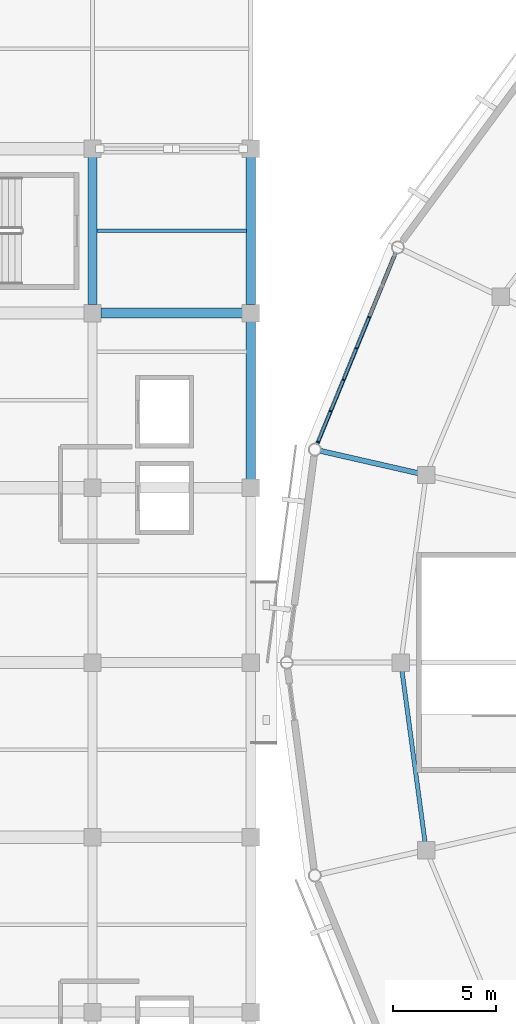
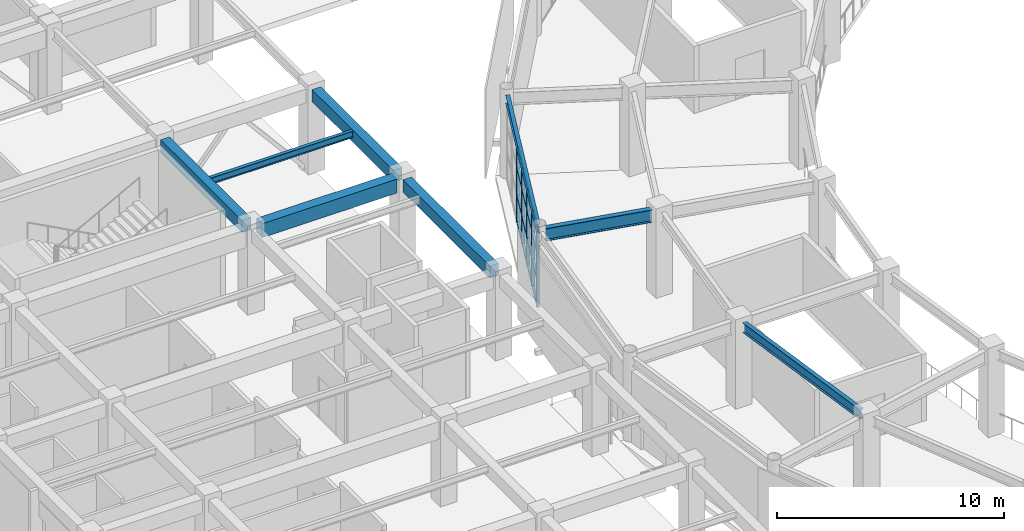
# One storey, part 37 of 112: 21 members, 8 beams, 1 element without a shape of its own.
"""IFC4 building model written with IfcOpenShell, lengths in metres."""

from ifc_helpers import new_model, si_unit, direction, frame, origin, origin_2d, place, context, subcontext, project, spatial, rectangle, i_section, extrude, material, material_profile, profile_set, type_object, element, aggregate, save


model = new_model("IFC4")

# Units and contexts
model_context = context("Model", 3, precision=1e-05, world=origin(), true_north=direction((0.0, 1.0)))
body_context = subcontext(model_context, "Body", "Model", "MODEL_VIEW")
ifc_project = project(units=[si_unit("LENGTHUNIT", "METRE"), si_unit("AREAUNIT", "SQUARE_METRE"), si_unit("VOLUMEUNIT", "CUBIC_METRE"), si_unit("PLANEANGLEUNIT", "RADIAN"), si_unit("MASSUNIT", "GRAM", prefix="KILO")], contexts=[model_context])

# Site, building, storey
site_placement = place(None, origin())
site = spatial("IfcSite", under=ifc_project, at=site_placement, CompositionType="ELEMENT")
building_placement = place(site_placement, origin())
building = spatial("IfcBuilding", under=site, at=building_placement, Name="Cuetzalor Civic Arena", CompositionType="ELEMENT")
storey_placement = place(building_placement, frame((0.0, 0.0, 11.39990234375)))
storey = spatial("IfcBuildingStorey", under=building, at=storey_placement, Name="L02", CompositionType="ELEMENT", Elevation=11.39990234375)

# Beams
ifc_material_1 = material(Name="Concrete C40/50", Category="concrete")
ifc_material_profile_1 = material_profile(ifc_material_1, rectangle(XDim=0.5, YDim=0.75, at=origin_2d()), Name="RC 500x750")
ifc_profile_set_1 = profile_set([ifc_material_profile_1], Name="Concrete C40/50")
beam_type_1 = type_object("IfcBeamType", Name="ConcreteFrameBeam_500x750", PredefinedType="BEAM", material=ifc_profile_set_1)
beam_1_placement = place(storey_placement, frame((-63.5849609375, 17.0, 4.14501953125), z_axis=(1.0, 0.0, 0.0), x_axis=(0.0, 1.0, 0.0)))
element("IfcBeam", 1, at=beam_1_placement, inside=storey, type_object=beam_type_1, Name="Frame Girder V4W-L02-X0651", PredefinedType="BEAM", context=body_context, shape_type="SweptSolid", body=[
    extrude(rectangle(XDim=0.5, YDim=0.75, at=origin_2d()), origin(), (0.0, 0.0, 1.0), 6.869873046875),
])
ifc_material_2 = material(Name="Concrete C40/50", Category="concrete")
ifc_material_profile_2 = material_profile(ifc_material_2, rectangle(XDim=0.449951171875, YDim=0.64990234375, at=origin_2d()), Name="RC 450x650")
ifc_profile_set_2 = profile_set([ifc_material_profile_2], Name="Concrete C40/50")
beam_type_2 = type_object("IfcBeamType", Name="ConcreteTieBeam_450x650", PredefinedType="BEAM", material=ifc_profile_set_2)
beam_2_placement = place(storey_placement, frame((-64.0, 17.4150390625, 4.195068359375), z_axis=(0.0, 1.0, 0.0), x_axis=(-1.0, 0.0, 0.0)))
element("IfcBeam", 2, at=beam_2_placement, inside=storey, type_object=beam_type_2, Name="Frame Girder V4W-L02-Y0686", PredefinedType="BEAM", context=body_context, shape_type="SweptSolid", body=[
    extrude(rectangle(XDim=0.449951171875, YDim=0.64990234375, at=origin_2d()), origin(), (0.0, 0.0, 1.0), 7.169921875),
])
beam_3_placement = place(storey_placement, frame((-56.300048828125, 8.9150390625, 4.195068359375), z_axis=(0.0, 1.0, 0.0), x_axis=(-1.0, 0.0, 0.0)))
element("IfcBeam", 3, at=beam_3_placement, inside=storey, type_object=beam_type_2, Name="Frame Girder V4W-L02-Y0695", PredefinedType="BEAM", context=body_context, shape_type="SweptSolid", body=[
    extrude(rectangle(XDim=0.449951171875, YDim=0.64990234375, at=origin_2d()), origin(), (0.0, 0.0, 1.0), 7.669921875),
])
beam_4_placement = place(storey_placement, frame((-56.300048828125, 17.4150390625, 4.195068359375), z_axis=(0.0, 1.0, 0.0), x_axis=(-1.0, 0.0, 0.0)))
element("IfcBeam", 4, at=beam_4_placement, inside=storey, type_object=beam_type_2, Name="Frame Girder V4W-L02-Y0696", PredefinedType="BEAM", context=body_context, shape_type="SweptSolid", body=[
    extrude(rectangle(XDim=0.449951171875, YDim=0.64990234375, at=origin_2d()), origin(), (0.0, 0.0, 1.0), 7.169921875),
])

# Curtain wall, members
ifc_material_3 = material(Name="Anodised dark bronze aluminium and low-E solar glass", Category="aluminium")
curtain_wall_type = type_object("IfcCurtainWallType", Name="UnitisedCW_9850x4050", PredefinedType="USERDEFINED", material=ifc_material_3)
curtain_wall_placement = place(storey_placement, origin())
curtain_wall = element("IfcCurtainWall", 5, at=curtain_wall_placement, inside=storey, type_object=curtain_wall_type, Name="Drum Triangle Foyer Curtain Wall L02-038", ObjectType="UNITISED CURTAIN WALL", PredefinedType="USERDEFINED")
ifc_material_4 = material(Name="Anodised dark bronze aluminium", Category="aluminium")
ifc_material_profile_3 = material_profile(ifc_material_4, rectangle(XDim=0.06494140625, YDim=0.14990234375, at=origin_2d()), Name="ALU MULLION 65x150")
ifc_profile_set_3 = profile_set([ifc_material_profile_3], Name="Anodised dark bronze aluminium")
member_type_1 = type_object("IfcMemberType", Name="CurtainWallMullion_60x150", PredefinedType="MULLION", material=ifc_profile_set_3)
member_1_placement = place(storey_placement, frame((-53.02587890625, 10.739990234375, 0.0), z_axis=(0.0, 0.0, 1.0), x_axis=(0.379391428583, 0.925236263836, 0.0)))
member_1 = element("IfcMember", 6, at=member_1_placement, type_object=member_type_1, Name="CW-17 mullion 1", PredefinedType="MULLION", context=body_context, shape_type="SweptSolid", body=[
    extrude(rectangle(XDim=0.06494140625, YDim=0.14990234375, at=origin_2d()), origin(), (0.0, 0.0, 1.0), 4.052978515625),
])
member_2_placement = place(storey_placement, frame((-52.413818359375, 12.232421875, 0.0), z_axis=(0.0, 0.0, 1.0), x_axis=(0.379391428583, 0.925236263836, 0.0)))
member_2 = element("IfcMember", 7, at=member_2_placement, type_object=member_type_1, Name="CW-17 mullion 2", PredefinedType="MULLION", context=body_context, shape_type="SweptSolid", body=[
    extrude(rectangle(XDim=0.06494140625, YDim=0.14990234375, at=origin_2d()), origin(), (0.0, 0.0, 1.0), 4.052978515625),
])
member_3_placement = place(storey_placement, frame((-51.78955078125, 13.755126953125, 0.0), z_axis=(0.0, 0.0, 1.0), x_axis=(0.379391428583, 0.925236263836, 0.0)))
member_3 = element("IfcMember", 8, at=member_3_placement, type_object=member_type_1, Name="CW-17 mullion 3", PredefinedType="MULLION", context=body_context, shape_type="SweptSolid", body=[
    extrude(rectangle(XDim=0.06494140625, YDim=0.14990234375, at=origin_2d()), origin(), (0.0, 0.0, 1.0), 4.052978515625),
])
member_4_placement = place(storey_placement, frame((-51.1650390625, 15.27783203125, 0.0), z_axis=(0.0, 0.0, 1.0), x_axis=(0.379391428583, 0.925236263836, 0.0)))
member_4 = element("IfcMember", 9, at=member_4_placement, type_object=member_type_1, Name="CW-17 mullion 4", PredefinedType="MULLION", context=body_context, shape_type="SweptSolid", body=[
    extrude(rectangle(XDim=0.06494140625, YDim=0.14990234375, at=origin_2d()), origin(), (0.0, 0.0, 1.0), 4.052978515625),
])
member_5_placement = place(storey_placement, frame((-50.540771484375, 16.800537109375, 0.0), z_axis=(0.0, 0.0, 1.0), x_axis=(0.379391428583, 0.925236263836, 0.0)))
member_5 = element("IfcMember", 10, at=member_5_placement, type_object=member_type_1, Name="CW-17 mullion 5", PredefinedType="MULLION", context=body_context, shape_type="SweptSolid", body=[
    extrude(rectangle(XDim=0.06494140625, YDim=0.14990234375, at=origin_2d()), origin(), (0.0, 0.0, 1.0), 4.052978515625),
])
ifc_material_5 = material(Name="Anodised dark bronze aluminium", Category="aluminium")
ifc_material_profile_4 = material_profile(ifc_material_5, rectangle(XDim=0.1201171875, YDim=0.06494140625, at=origin_2d()), Name="ALU TRANSOM 65x120")
ifc_profile_set_4 = profile_set([ifc_material_profile_4], Name="Anodised dark bronze aluminium")
member_type_2 = type_object("IfcMemberType", Name="CurtainWallTransom_60x120", PredefinedType="USERDEFINED", material=ifc_profile_set_4)
member_6_placement = place(storey_placement, frame((-53.013427734375, 10.77001953125, 0.03271484375), z_axis=(0.37928982406, 0.925277920067, 0.0), x_axis=(-0.925277920067, 0.37928982406, 0.0)))
member_6 = element("IfcMember", 11, at=member_6_placement, type_object=member_type_2, Name="CW-17 transom 1.1", ObjectType="TRANSOM", PredefinedType="USERDEFINED", context=body_context, shape_type="SweptSolid", body=[
    extrude(rectangle(XDim=0.1201171875, YDim=0.06494140625, at=origin_2d()), origin(), (0.0, 0.0, 1.0), 1.548095703125),
])
member_7_placement = place(storey_placement, frame((-53.013427734375, 10.77001953125, 1.458984375), z_axis=(0.37928982406, 0.925277920067, 0.0), x_axis=(-0.925277920067, 0.37928982406, 0.0)))
member_7 = element("IfcMember", 12, at=member_7_placement, type_object=member_type_2, Name="CW-17 transom 1.2", ObjectType="TRANSOM", PredefinedType="USERDEFINED", context=body_context, shape_type="SweptSolid", body=[
    extrude(rectangle(XDim=0.1201171875, YDim=0.06494140625, at=origin_2d()), origin(), (0.0, 0.0, 1.0), 1.548095703125),
])
member_8_placement = place(storey_placement, frame((-53.013427734375, 10.77001953125, 2.918212890625), z_axis=(0.37928982406, 0.925277920067, 0.0), x_axis=(-0.925277920067, 0.37928982406, 0.0)))
member_8 = element("IfcMember", 13, at=member_8_placement, type_object=member_type_2, Name="CW-17 transom 1.3", ObjectType="TRANSOM", PredefinedType="USERDEFINED", context=body_context, shape_type="SweptSolid", body=[
    extrude(rectangle(XDim=0.1201171875, YDim=0.06494140625, at=origin_2d()), origin(), (0.0, 0.0, 1.0), 1.548095703125),
])
member_9_placement = place(storey_placement, frame((-53.013427734375, 10.77001953125, 4.0205078125), z_axis=(0.37928982406, 0.925277920067, 0.0), x_axis=(-0.925277920067, 0.37928982406, 0.0)))
member_9 = element("IfcMember", 14, at=member_9_placement, type_object=member_type_2, Name="CW-17 transom 1.4", ObjectType="TRANSOM", PredefinedType="USERDEFINED", context=body_context, shape_type="SweptSolid", body=[
    extrude(rectangle(XDim=0.1201171875, YDim=0.06494140625, at=origin_2d()), origin(), (0.0, 0.0, 1.0), 1.548095703125),
])
member_10_placement = place(storey_placement, frame((-52.401611328125, 12.262451171875, 0.03271484375), z_axis=(0.379444503936, 0.925214498607, 0.0), x_axis=(-0.925214498607, 0.379444503936, 0.0)))
member_10 = element("IfcMember", 15, at=member_10_placement, type_object=member_type_2, Name="CW-17 transom 2.1", ObjectType="TRANSOM", PredefinedType="USERDEFINED", context=body_context, shape_type="SweptSolid", body=[
    extrude(rectangle(XDim=0.1201171875, YDim=0.06494140625, at=origin_2d()), origin(), (0.0, 0.0, 1.0), 1.580810546875),
])
member_11_placement = place(storey_placement, frame((-52.401611328125, 12.262451171875, 1.458984375), z_axis=(0.379444503936, 0.925214498607, 0.0), x_axis=(-0.925214498607, 0.379444503936, 0.0)))
member_11 = element("IfcMember", 16, at=member_11_placement, type_object=member_type_2, Name="CW-17 transom 2.2", ObjectType="TRANSOM", PredefinedType="USERDEFINED", context=body_context, shape_type="SweptSolid", body=[
    extrude(rectangle(XDim=0.1201171875, YDim=0.06494140625, at=origin_2d()), origin(), (0.0, 0.0, 1.0), 1.580810546875),
])
member_12_placement = place(storey_placement, frame((-52.401611328125, 12.262451171875, 2.918212890625), z_axis=(0.379444503936, 0.925214498607, 0.0), x_axis=(-0.925214498607, 0.379444503936, 0.0)))
member_12 = element("IfcMember", 17, at=member_12_placement, type_object=member_type_2, Name="CW-17 transom 2.3", ObjectType="TRANSOM", PredefinedType="USERDEFINED", context=body_context, shape_type="SweptSolid", body=[
    extrude(rectangle(XDim=0.1201171875, YDim=0.06494140625, at=origin_2d()), origin(), (0.0, 0.0, 1.0), 1.580810546875),
])
member_13_placement = place(storey_placement, frame((-52.401611328125, 12.262451171875, 4.0205078125), z_axis=(0.379444503936, 0.925214498607, 0.0), x_axis=(-0.925214498607, 0.379444503936, 0.0)))
member_13 = element("IfcMember", 18, at=member_13_placement, type_object=member_type_2, Name="CW-17 transom 2.4", ObjectType="TRANSOM", PredefinedType="USERDEFINED", context=body_context, shape_type="SweptSolid", body=[
    extrude(rectangle(XDim=0.1201171875, YDim=0.06494140625, at=origin_2d()), origin(), (0.0, 0.0, 1.0), 1.580810546875),
])
member_14_placement = place(storey_placement, frame((-51.777099609375, 13.78515625, 0.03271484375), z_axis=(0.379312293377, 0.925268709129, 0.0), x_axis=(-0.925268709129, 0.379312293377, 0.0)))
member_14 = element("IfcMember", 19, at=member_14_placement, type_object=member_type_2, Name="CW-17 transom 3.1", ObjectType="TRANSOM", PredefinedType="USERDEFINED", context=body_context, shape_type="SweptSolid", body=[
    extrude(rectangle(XDim=0.1201171875, YDim=0.06494140625, at=origin_2d()), origin(), (0.0, 0.0, 1.0), 1.580810546875),
])
member_15_placement = place(storey_placement, frame((-51.777099609375, 13.78515625, 1.458984375), z_axis=(0.379312293377, 0.925268709129, 0.0), x_axis=(-0.925268709129, 0.379312293377, 0.0)))
member_15 = element("IfcMember", 20, at=member_15_placement, type_object=member_type_2, Name="CW-17 transom 3.2", ObjectType="TRANSOM", PredefinedType="USERDEFINED", context=body_context, shape_type="SweptSolid", body=[
    extrude(rectangle(XDim=0.1201171875, YDim=0.06494140625, at=origin_2d()), origin(), (0.0, 0.0, 1.0), 1.580810546875),
])
member_16_placement = place(storey_placement, frame((-51.777099609375, 13.78515625, 2.918212890625), z_axis=(0.379312293377, 0.925268709129, 0.0), x_axis=(-0.925268709129, 0.379312293377, 0.0)))
member_16 = element("IfcMember", 21, at=member_16_placement, type_object=member_type_2, Name="CW-17 transom 3.3", ObjectType="TRANSOM", PredefinedType="USERDEFINED", context=body_context, shape_type="SweptSolid", body=[
    extrude(rectangle(XDim=0.1201171875, YDim=0.06494140625, at=origin_2d()), origin(), (0.0, 0.0, 1.0), 1.580810546875),
])
member_17_placement = place(storey_placement, frame((-51.777099609375, 13.78515625, 4.0205078125), z_axis=(0.379312293377, 0.925268709129, 0.0), x_axis=(-0.925268709129, 0.379312293377, 0.0)))
member_17 = element("IfcMember", 22, at=member_17_placement, type_object=member_type_2, Name="CW-17 transom 3.4", ObjectType="TRANSOM", PredefinedType="USERDEFINED", context=body_context, shape_type="SweptSolid", body=[
    extrude(rectangle(XDim=0.1201171875, YDim=0.06494140625, at=origin_2d()), origin(), (0.0, 0.0, 1.0), 1.580810546875),
])
member_18_placement = place(storey_placement, frame((-51.15283203125, 15.307861328125, 0.03271484375), z_axis=(0.379444503936, 0.925214498607, 0.0), x_axis=(-0.925214498607, 0.379444503936, 0.0)))
member_18 = element("IfcMember", 23, at=member_18_placement, type_object=member_type_2, Name="CW-17 transom 4.1", ObjectType="TRANSOM", PredefinedType="USERDEFINED", context=body_context, shape_type="SweptSolid", body=[
    extrude(rectangle(XDim=0.1201171875, YDim=0.06494140625, at=origin_2d()), origin(), (0.0, 0.0, 1.0), 1.580810546875),
])
member_19_placement = place(storey_placement, frame((-51.15283203125, 15.307861328125, 1.458984375), z_axis=(0.379444503936, 0.925214498607, 0.0), x_axis=(-0.925214498607, 0.379444503936, 0.0)))
member_19 = element("IfcMember", 24, at=member_19_placement, type_object=member_type_2, Name="CW-17 transom 4.2", ObjectType="TRANSOM", PredefinedType="USERDEFINED", context=body_context, shape_type="SweptSolid", body=[
    extrude(rectangle(XDim=0.1201171875, YDim=0.06494140625, at=origin_2d()), origin(), (0.0, 0.0, 1.0), 1.580810546875),
])
member_20_placement = place(storey_placement, frame((-51.15283203125, 15.307861328125, 2.918212890625), z_axis=(0.379444503936, 0.925214498607, 0.0), x_axis=(-0.925214498607, 0.379444503936, 0.0)))
member_20 = element("IfcMember", 25, at=member_20_placement, type_object=member_type_2, Name="CW-17 transom 4.3", ObjectType="TRANSOM", PredefinedType="USERDEFINED", context=body_context, shape_type="SweptSolid", body=[
    extrude(rectangle(XDim=0.1201171875, YDim=0.06494140625, at=origin_2d()), origin(), (0.0, 0.0, 1.0), 1.580810546875),
])
member_21_placement = place(storey_placement, frame((-51.15283203125, 15.307861328125, 4.0205078125), z_axis=(0.379444503936, 0.925214498607, 0.0), x_axis=(-0.925214498607, 0.379444503936, 0.0)))
member_21 = element("IfcMember", 26, at=member_21_placement, type_object=member_type_2, Name="CW-17 transom 4.4", ObjectType="TRANSOM", PredefinedType="USERDEFINED", context=body_context, shape_type="SweptSolid", body=[
    extrude(rectangle(XDim=0.1201171875, YDim=0.06494140625, at=origin_2d()), origin(), (0.0, 0.0, 1.0), 1.580810546875),
])
aggregate(curtain_wall, [member_1, member_2, member_3, member_4, member_5, member_6, member_7, member_8, member_9, member_10, member_11, member_12, member_13, member_14, member_15, member_16, member_17, member_18, member_19, member_20, member_21])

# Beams
ifc_material_6 = material(Name="Steel S355", Category="steel")
ifc_material_profile_5 = material_profile(ifc_material_6, i_section(OverallWidth=0.18994140625, OverallDepth=0.45703125, WebThickness=0.009033203125, FlangeThickness=0.014404296875, at=origin_2d()), Name="W460x74")
ifc_profile_set_5 = profile_set([ifc_material_profile_5], Name="Steel S355")
beam_type_3 = type_object("IfcBeamType", Name="FacadeSpandrelBeam_W460", PredefinedType="SPANDREL", material=ifc_profile_set_5)
beam_5_placement = place(storey_placement, frame((-49.2578125, 19.928955078125, 4.29150390625), z_axis=(-0.379398599643, -0.925233323324, 0.0), x_axis=(0.925233323324, -0.379398599643, 0.0)))
element("IfcBeam", 27, at=beam_5_placement, inside=storey, type_object=beam_type_3, Name="Drum Perimeter Spandrel L02-S13", PredefinedType="SPANDREL", context=body_context, shape_type="SweptSolid", body=[
    extrude(i_section(OverallWidth=0.18994140625, OverallDepth=0.45703125, WebThickness=0.009033203125, FlangeThickness=0.014404296875, at=origin_2d()), origin(), (0.0, 0.0, 1.0), 10.053955078125),
])
ifc_material_7 = material(Name="Steel S355", Category="steel")
ifc_material_profile_6 = material_profile(ifc_material_7, i_section(OverallWidth=0.1708984375, OverallDepth=0.35498046875, WebThickness=0.007080078125, FlangeThickness=0.01171875, at=origin_2d()), Name="W360x51")
ifc_profile_set_6 = profile_set([ifc_material_profile_6], Name="Steel S355")
beam_type_4 = type_object("IfcBeamType", Name="SecondaryFloorJoist_W360", PredefinedType="JOIST", material=ifc_profile_set_6)
beam_6_placement = place(storey_placement, frame((-63.782958984375, 21.0, 4.342529296875), z_axis=(1.0, 0.0, 0.0), x_axis=(0.0, 1.0, 0.0)))
element("IfcBeam", 28, at=beam_6_placement, inside=storey, type_object=beam_type_4, Name="Secondary Floor Joist V4W-L02-0213", PredefinedType="JOIST", context=body_context, shape_type="SweptSolid", body=[
    extrude(i_section(OverallWidth=0.1708984375, OverallDepth=0.35498046875, WebThickness=0.007080078125, FlangeThickness=0.01171875, at=origin_2d()), origin(), (0.0, 0.0, 1.0), 7.265869140625),
])
ifc_material_8 = material(Name="Steel S355", Category="steel")
ifc_material_profile_7 = material_profile(ifc_material_8, i_section(OverallWidth=0.208984375, OverallDepth=0.532958984375, WebThickness=0.01025390625, FlangeThickness=0.015625, at=origin_2d()), Name="W530x92")
ifc_profile_set_7 = profile_set([ifc_material_profile_7], Name="Steel S355")
beam_type_5 = type_object("IfcBeamType", Name="SteelCollarGirder_W530", PredefinedType="BEAM", material=ifc_profile_set_7)
beam_7_placement = place(storey_placement, frame((-48.95068359375, -0.36669921875, 4.253662109375), z_axis=(0.13346702922, -0.991053253923, 0.0), x_axis=(0.991053253923, 0.13346702922, 0.0)))
element("IfcBeam", 29, at=beam_7_placement, inside=storey, type_object=beam_type_5, Name="Drum Concourse Ring Girder L02-S15", PredefinedType="BEAM", context=body_context, shape_type="SweptSolid", body=[
    extrude(i_section(OverallWidth=0.208984375, OverallDepth=0.532958984375, WebThickness=0.01025390625, FlangeThickness=0.015625, at=origin_2d()), origin(), (0.0, 0.0, 1.0), 8.465576171875),
])
ifc_material_9 = material(Name="Steel S355", Category="steel")
ifc_material_profile_8 = material_profile(ifc_material_9, i_section(OverallWidth=0.2529296875, OverallDepth=0.677978515625, WebThickness=0.01171875, FlangeThickness=0.016357421875, at=origin_2d()), Name="W690x125")
ifc_profile_set_8 = profile_set([ifc_material_profile_8], Name="Steel S355")
beam_type_6 = type_object("IfcBeamType", Name="SteelPrimaryGirder_W690", PredefinedType="BEAM", material=ifc_profile_set_8)
beam_8_placement = place(storey_placement, frame((-48.12255859375, 9.20361328125, 4.18115234375), z_axis=(-0.974939153271, 0.222471677792, 0.0), x_axis=(-0.222471677792, -0.974939153271, 0.0)))
element("IfcBeam", 30, at=beam_8_placement, inside=storey, type_object=beam_type_6, Name="Drum Radial Girder L02-R14", PredefinedType="BEAM", context=body_context, shape_type="SweptSolid", body=[
    extrude(i_section(OverallWidth=0.2529296875, OverallDepth=0.677978515625, WebThickness=0.01171875, FlangeThickness=0.016357421875, at=origin_2d()), origin(), (0.0, 0.0, 1.0), 4.89990234375),
])

save(model, "model.ifc")
